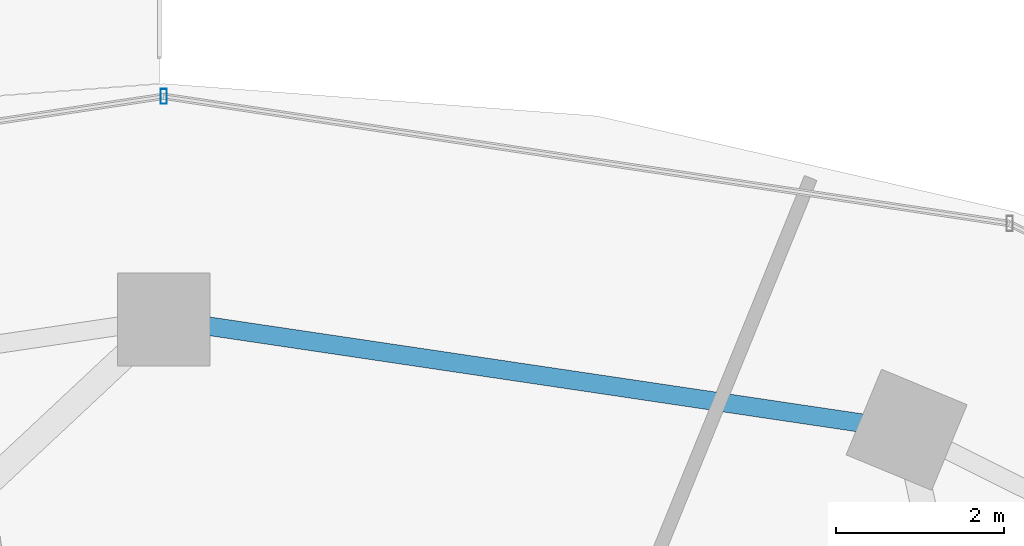
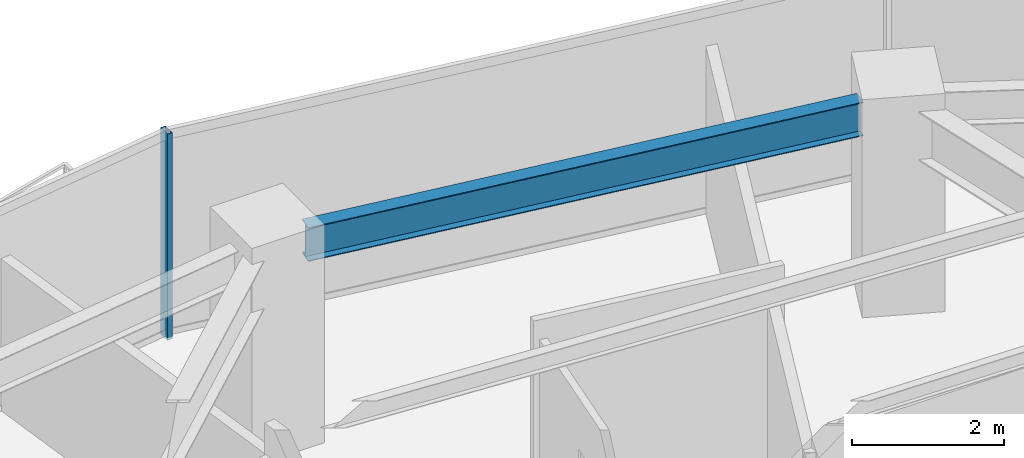
# One storey, part 18 of 30: 1 beam, 1 member, 1 element without a shape of its own.
"""IFC4 building model written with IfcOpenShell, lengths in metres."""

from ifc_helpers import new_model, si_unit, direction, frame, origin, origin_2d, place, context, subcontext, project, spatial, hollow_rectangle, i_section, extrude, material, material_profile, profile_set, type_object, element, aggregate, save


model = new_model("IFC4")

# Units and contexts
model_context = context("Model", 3, precision=1e-05, world=origin(), true_north=direction((0.0, 1.0)))
body_context = subcontext(model_context, "Body", "Model", "MODEL_VIEW")
ifc_project = project(units=[si_unit("LENGTHUNIT", "METRE"), si_unit("AREAUNIT", "SQUARE_METRE"), si_unit("VOLUMEUNIT", "CUBIC_METRE"), si_unit("PLANEANGLEUNIT", "RADIAN"), si_unit("MASSUNIT", "GRAM", prefix="KILO")], contexts=[model_context])

# Site, building, storey
site_placement = place(None, origin())
site = spatial("IfcSite", under=ifc_project, at=site_placement, CompositionType="ELEMENT")
building_placement = place(site_placement, origin())
building = spatial("IfcBuilding", under=site, at=building_placement, Name="Vorneva Point Tower", CompositionType="ELEMENT")
storey_placement = place(building_placement, frame((0.0, 0.0, 89.300048828125)))
storey = spatial("IfcBuildingStorey", under=building, at=storey_placement, Name="L23", CompositionType="ELEMENT", Elevation=89.300048828125)

# Beam
ifc_material_1 = material(Name="Steel S355", Category="steel")
ifc_material_profile_1 = material_profile(ifc_material_1, i_section(OverallWidth=0.219970703125, OverallDepth=0.54296875, WebThickness=0.009521484375, FlangeThickness=0.013427734375, at=origin_2d()), Name="55B1")
ifc_profile_set_1 = profile_set([ifc_material_profile_1], Name="Steel S355")
beam_type = type_object("IfcBeamType", Name="BM-SPN-55B1", PredefinedType="SPANDREL", material=ifc_profile_set_1)
beam_placement = place(storey_placement, frame((46.291748046875, 41.96923828125, 2.968505859375), z_axis=(-0.989164507783, 0.146811363806, 0.0), x_axis=(-0.146811363806, -0.989164507783, 0.0)))
element("IfcBeam", 1, at=beam_placement, inside=storey, type_object=beam_type, Name="L23 Perimeter Spandrel Ring Beam 04", PredefinedType="SPANDREL", context=body_context, shape_type="SweptSolid", body=[
    extrude(i_section(OverallWidth=0.219970703125, OverallDepth=0.54296875, WebThickness=0.009521484375, FlangeThickness=0.013427734375, at=origin_2d()), origin(), (0.0, 0.0, 1.0), 7.847412109375),
])

# Curtain wall, member
ifc_material_2 = material(Name="Pale anodised aluminium", Category="aluminium")
curtain_wall_type = type_object("IfcCurtainWallType", Name="CW-HTL-SYS", PredefinedType="NOTDEFINED", material=ifc_material_2)
curtain_wall_placement = place(storey_placement, origin())
curtain_wall = element("IfcCurtainWall", 2, at=curtain_wall_placement, inside=storey, type_object=curtain_wall_type, Name="L23 Unitised Curtain Wall CW-L23-R02", PredefinedType="NOTDEFINED")
ifc_material_profile_2 = material_profile(ifc_material_2, hollow_rectangle(XDim=0.074951171875, YDim=0.179931640625, WallThickness=0.00390625, at=origin_2d()), Name="AL-MUL 180x75x4")
ifc_profile_set_2 = profile_set([ifc_material_profile_2], Name="Pale anodised aluminium")
member_type = type_object("IfcMemberType", Name="CW-MUL-180", PredefinedType="MULLION", material=ifc_profile_set_2)
member_placement = place(storey_placement, frame((38.0, 45.85009765625, -0.0400390625), z_axis=(0.0, 0.0, 1.0), x_axis=(1.0, 0.0, 0.0)))
member = element("IfcMember", 3, at=member_placement, type_object=member_type, Name="CW-L23-R02 Mullion 03", PredefinedType="MULLION", context=body_context, shape_type="SweptSolid", body=[
    extrude(hollow_rectangle(XDim=0.074951171875, YDim=0.179931640625, WallThickness=0.00390625, at=origin_2d()), origin(), (0.0, 0.0, 1.0), 3.31005859375),
])
aggregate(curtain_wall, [member])

save(model, "model.ifc")
